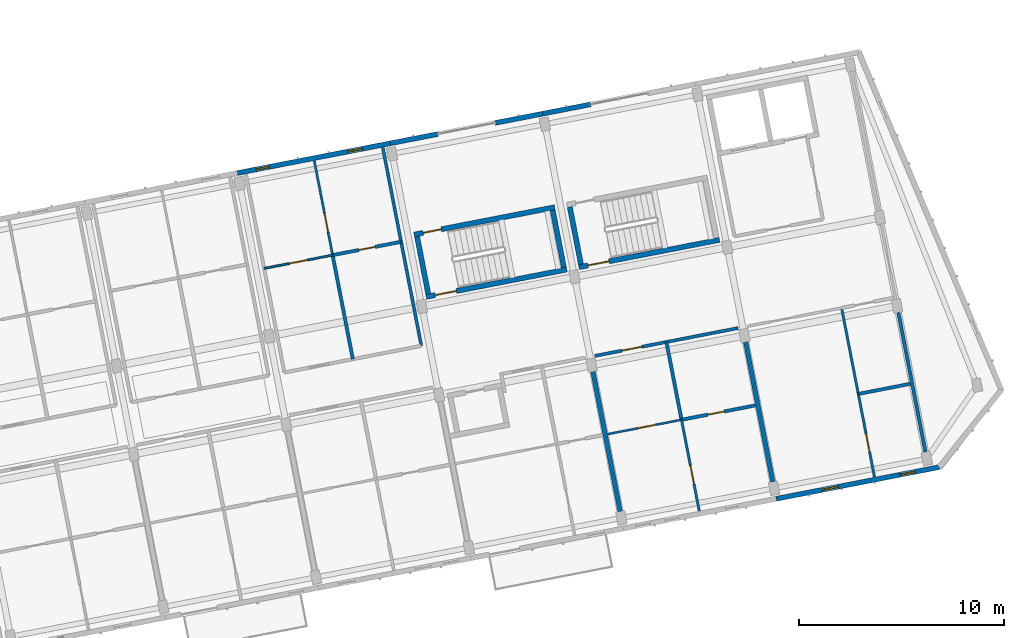
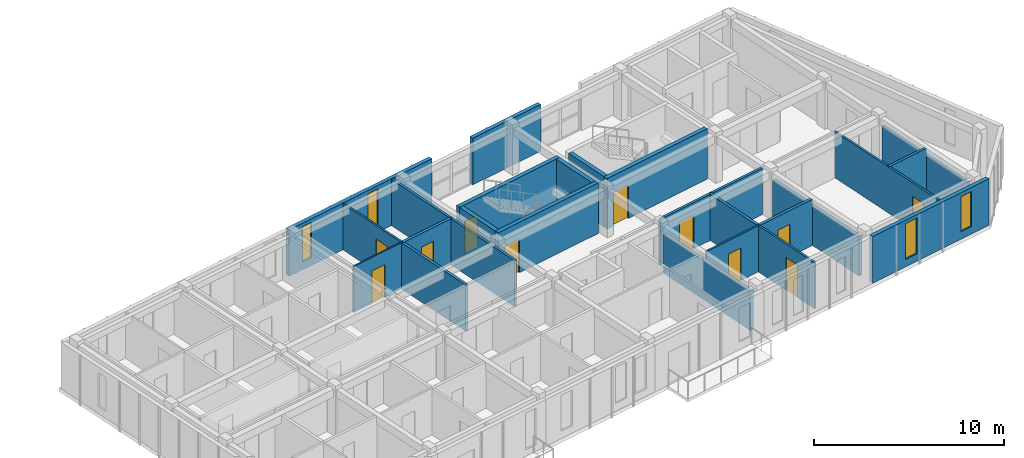
# One storey, part 36 of 68: 26 walls, 11 doors, 4 windows, 15 openings.
"""IFC4 building model written with IfcOpenShell, lengths in metres."""

from ifc_helpers import new_model, si_unit, direction, frame, frame_2d, origin, place, context, subcontext, project, spatial, rectangle, extrude, material, layer, layer_set, type_object, element, fill, save


model = new_model("IFC4")

# Units and contexts
model_context = context("Model", 3, precision=1e-05, world=origin(), true_north=direction((0.0, 1.0)))
body_context = subcontext(model_context, "Body", "Model", "MODEL_VIEW")
ifc_project = project(units=[si_unit("LENGTHUNIT", "METRE"), si_unit("AREAUNIT", "SQUARE_METRE"), si_unit("VOLUMEUNIT", "CUBIC_METRE"), si_unit("PLANEANGLEUNIT", "RADIAN"), si_unit("MASSUNIT", "GRAM", prefix="KILO")], contexts=[model_context])

# Site, building, storey
site_placement = place(None, origin())
site = spatial("IfcSite", under=ifc_project, at=site_placement, CompositionType="ELEMENT")
building_placement = place(site_placement, origin())
building = spatial("IfcBuilding", under=site, at=building_placement, Name="Kestramere Prow Commons", CompositionType="ELEMENT")
storey_placement = place(building_placement, frame((0.0, 0.0, 18.14990234375)))
storey = spatial("IfcBuildingStorey", under=building, at=storey_placement, Name="L05", CompositionType="ELEMENT", Elevation=18.14990234375)

# Wall, openings, windows
ifc_material_1 = material(Name="Fluoropolymer Standing-Seam Zinc-Aluminium Cladding", Category="aluminium")
ifc_layer_1 = layer(ifc_material_1, 0.239990234375)
ifc_layer_set_1 = layer_set([ifc_layer_1], Name="Fluoropolymer Standing-Seam Zinc-Aluminium Cladding")
wall_type_1 = type_object("IfcWallType", Name="EW-SEAM-240", PredefinedType="SOLIDWALL", material=ifc_layer_set_1)
wall_1_placement = place(storey_placement, frame((163.77783203125, 42.28564453125, 0.0), z_axis=(0.0, 0.0, 1.0), x_axis=(-0.981628367112, -0.190802905848, 0.0)))
wall_1 = element("IfcWall", 1, at=wall_1_placement, inside=storey, type_object=wall_type_1, Name="Block D L05 South Standing-Seam Wall 6", PredefinedType="SOLIDWALL", context=body_context, shape_type="SweptSolid", body=[
    extrude(rectangle(XDim=8.125, YDim=0.239990234375, at=frame_2d((4.0625, 0.0))), origin(), (0.0, 0.0, 1.0), 3.0),
])
opening_1_placement = place(wall_1_placement, frame((1.229736328125, 0.0, 0.47998046875)))
opening_1 = element("IfcOpeningElement", 2, at=opening_1_placement, cuts=wall_1, Name="Opening WN-09", PredefinedType="OPENING", context=body_context, shape_type="SweptSolid", body=[
    extrude(rectangle(XDim=0.739990234375, YDim=2.260009765625, at=frame_2d((0.3701171875, 1.1298828125))), frame((0.0, 0.135009765625, 0.0), z_axis=(0.0, -1.0, 0.0), x_axis=(1.0, 0.0, 0.0)), (0.0, 0.0, 1.0), 0.27001953125),
])
opening_2_placement = place(wall_1_placement, frame((5.034912109375, 0.0, 0.47998046875)))
opening_2 = element("IfcOpeningElement", 3, at=opening_2_placement, cuts=wall_1, Name="Opening WN-12", PredefinedType="OPENING", context=body_context, shape_type="SweptSolid", body=[
    extrude(rectangle(XDim=0.800048828125, YDim=2.300048828125, at=frame_2d((0.39990234375, 1.14990234375))), frame((0.0, 0.135009765625, 0.0), z_axis=(0.0, -1.0, 0.0), x_axis=(1.0, 0.0, 0.0)), (0.0, 0.0, 1.0), 0.27001953125),
])
ifc_material_2 = material(Name="Low-E Laminated Double Glazing", Category="glass")
window_type_1 = type_object("IfcWindowType", Name="WN-NAR-740A", PartitioningType="SINGLE_PANEL", PredefinedType="WINDOW", material=ifc_material_2)
window_1_placement = place(opening_1_placement, origin())
window_1 = element("IfcWindow", 4, at=window_1_placement, inside=storey, type_object=window_type_1, Name="WN-D-L05-S-5-00", OverallHeight=2.260009765625, OverallWidth=0.739990234375, PartitioningType="SINGLE_PANEL", PredefinedType="WINDOW", context=body_context, shape_type="SweptSolid", body=[
    extrude(rectangle(XDim=0.739990234375, YDim=2.260009765625, at=frame_2d((0.3701171875, 1.1298828125))), frame((0.0, 0.030029296875, 0.0), z_axis=(0.0, -1.0, 0.0), x_axis=(1.0, 0.0, 0.0)), (0.0, 0.0, 1.0), 0.06005859375),
])
fill(opening_1, window_1)
window_type_2 = type_object("IfcWindowType", Name="WN-NAR-800A", PartitioningType="SINGLE_PANEL", PredefinedType="WINDOW", material=ifc_material_2)
window_2_placement = place(opening_2_placement, origin())
window_2 = element("IfcWindow", 5, at=window_2_placement, inside=storey, type_object=window_type_2, Name="WN-D-L05-S-5-10", OverallHeight=2.300048828125, OverallWidth=0.800048828125, PartitioningType="SINGLE_PANEL", PredefinedType="WINDOW", context=body_context, shape_type="SweptSolid", body=[
    extrude(rectangle(XDim=0.800048828125, YDim=2.300048828125, at=frame_2d((0.39990234375, 1.14990234375))), frame((0.0, 0.030029296875, 0.0), z_axis=(0.0, -1.0, 0.0), x_axis=(1.0, 0.0, 0.0)), (0.0, 0.0, 1.0), 0.06005859375),
])
fill(opening_2, window_2)

wall_2_placement = place(storey_placement, frame((129.480712890625, 56.655517578125, 0.0), z_axis=(0.0, 0.0, 1.0), x_axis=(0.981626422232, 0.190812911449, 0.0)))
wall_2 = element("IfcWall", 6, at=wall_2_placement, inside=storey, type_object=wall_type_1, Name="Block D L05 North Standing-Seam Wall 3", PredefinedType="SOLIDWALL", context=body_context, shape_type="SweptSolid", body=[
    extrude(rectangle(XDim=7.60009765625, YDim=0.239990234375, at=frame_2d((3.800048828125, 0.0))), origin(), (0.0, 0.0, 1.0), 3.0),
])
opening_3_placement = place(wall_2_placement, frame((0.93359375, 0.0, 0.5)))
opening_3 = element("IfcOpeningElement", 7, at=opening_3_placement, cuts=wall_2, Name="Opening WN-03", PredefinedType="OPENING", context=body_context, shape_type="SweptSolid", body=[
    extrude(rectangle(XDim=0.6201171875, YDim=2.280029296875, at=frame_2d((0.31005859375, 1.14013671875))), frame((0.0, 0.135009765625, 0.0), z_axis=(0.0, -1.0, 0.0), x_axis=(1.0, 0.0, 0.0)), (0.0, 0.0, 1.0), 0.27001953125),
])
opening_4_placement = place(wall_2_placement, frame((5.506103515625, 0.0, 0.43994140625)))
opening_4 = element("IfcOpeningElement", 8, at=opening_4_placement, cuts=wall_2, Name="Opening WN-07", PredefinedType="OPENING", context=body_context, shape_type="SweptSolid", body=[
    extrude(rectangle(XDim=0.699951171875, YDim=2.360107421875, at=frame_2d((0.35009765625, 1.18017578125))), frame((0.0, 0.135009765625, 0.0), z_axis=(0.0, -1.0, 0.0), x_axis=(1.0, 0.0, 0.0)), (0.0, 0.0, 1.0), 0.27001953125),
])
window_type_3 = type_object("IfcWindowType", Name="WN-NAR-620A", PartitioningType="SINGLE_PANEL", PredefinedType="WINDOW", material=ifc_material_2)
window_3_placement = place(opening_3_placement, origin())
window_3 = element("IfcWindow", 9, at=window_3_placement, inside=storey, type_object=window_type_3, Name="WN-D-L05-N-2-0", OverallHeight=2.280029296875, OverallWidth=0.6201171875, PartitioningType="SINGLE_PANEL", PredefinedType="WINDOW", context=body_context, shape_type="SweptSolid", body=[
    extrude(rectangle(XDim=0.6201171875, YDim=2.280029296875, at=frame_2d((0.31005859375, 1.14013671875))), frame((0.0, 0.030029296875, 0.0), z_axis=(0.0, -1.0, 0.0), x_axis=(1.0, 0.0, 0.0)), (0.0, 0.0, 1.0), 0.06005859375),
])
fill(opening_3, window_3)
window_type_4 = type_object("IfcWindowType", Name="WN-NAR-700A", PartitioningType="SINGLE_PANEL", PredefinedType="WINDOW", material=ifc_material_2)
window_4_placement = place(opening_4_placement, origin())
window_4 = element("IfcWindow", 10, at=window_4_placement, inside=storey, type_object=window_type_4, Name="WN-D-L05-N-2-1", OverallHeight=2.360107421875, OverallWidth=0.699951171875, PartitioningType="SINGLE_PANEL", PredefinedType="WINDOW", context=body_context, shape_type="SweptSolid", body=[
    extrude(rectangle(XDim=0.699951171875, YDim=2.360107421875, at=frame_2d((0.35009765625, 1.18017578125))), frame((0.0, 0.030029296875, 0.0), z_axis=(0.0, -1.0, 0.0), x_axis=(1.0, 0.0, 0.0)), (0.0, 0.0, 1.0), 0.06005859375),
])
fill(opening_4, window_4)

# Walls
for number, where, z_axis, x_axis, name in (
    (11, (136.941162109375, 58.105712890625, 0.0), (0.0, 0.0, 1.0), (0.981629832251, 0.190795367961, 0.0), "Block D L05 North Standing-Seam Pier 4L"),
    (12, (142.070068359375, 59.102783203125, 0.0), (0.0, 0.0, 1.0), (0.981629832251, 0.190795367961, 0.0), "Block D L05 North Standing-Seam Pier 4R"),
):
    element("IfcWall", number, at=place(storey_placement, frame(where, z_axis=z_axis, x_axis=x_axis)), inside=storey, type_object=wall_type_1, Name=name, PredefinedType="SOLIDWALL", context=body_context, shape_type="SweptSolid", body=[
        extrude(rectangle(XDim=2.375, YDim=0.239990234375, at=frame_2d((1.1875, 0.0))), origin(), (0.0, 0.0, 1.0), 3.0),
    ])
wall_3_placement = place(storey_placement, frame((144.4013671875, 59.555908203125, 0.0), z_axis=(0.0, 0.0, 1.0), x_axis=(0.981633573872, 0.190776116556, 0.0)))
element("IfcWall", 13, at=wall_3_placement, inside=storey, type_object=wall_type_1, Name="Block D L05 North Standing-Seam Pier 5L", PredefinedType="SOLIDWALL", context=body_context, shape_type="SweptSolid", body=[
    extrude(rectangle(XDim=2.375244140625, YDim=0.239990234375, at=frame_2d((1.1875, 0.0))), origin(), (0.0, 0.0, 1.0), 3.0),
])

# Wall, opening, door
ifc_material_3 = material(Name="Concrete C40/50", Category="concrete")
ifc_layer_2 = layer(ifc_material_3, 0.25)
ifc_layer_set_2 = layer_set([ifc_layer_2], Name="Concrete C40/50")
wall_type_2 = type_object("IfcWallType", Name="W-CORE-250", PredefinedType="SHEAR", material=ifc_layer_set_2)
wall_4_placement = place(storey_placement, frame((138.11328125, 53.6474609375, 0.0), z_axis=(0.0, 0.0, 1.0), x_axis=(0.981626097708, 0.19081458094, 0.0)))
wall_4 = element("IfcWall", 14, at=wall_4_placement, inside=storey, type_object=wall_type_2, Name="ST-D1 L05 North Shaft Wall", PredefinedType="SHEAR", context=body_context, shape_type="SweptSolid", body=[
    extrude(rectangle(XDim=7.0, YDim=0.25, at=frame_2d((3.5, 0.0))), origin(), (0.0, 0.0, 1.0), 3.25),
])
opening_5_placement = place(wall_4_placement, frame((0.449951171875, 0.0, 0.0)))
opening_5 = element("IfcOpeningElement", 15, at=opening_5_placement, cuts=wall_4, Name="Opening ID-08", PredefinedType="OPENING", context=body_context, shape_type="SweptSolid", body=[
    extrude(rectangle(XDim=0.89990234375, YDim=2.10009765625, at=frame_2d((0.449951171875, 1.050048828125))), frame((0.0, 0.139892578125, 0.0), z_axis=(0.0, -1.0, 0.0), x_axis=(1.0, 0.0, 0.0)), (0.0, 0.0, 1.0), 0.280029296875),
])
ifc_material_4 = material(Name="Engineered Timber Flush Door", Category="wood")
door_type_1 = type_object("IfcDoorType", Name="D-RM-01", OperationType="NOTDEFINED", PredefinedType="DOOR", material=ifc_material_4)
door_1_placement = place(opening_5_placement, origin())
door_1 = element("IfcDoor", 16, at=door_1_placement, inside=storey, type_object=door_type_1, Name="ST-D1 L05 North Room Door", OperationType="SINGLE_SWING_RIGHT", OverallHeight=2.10009765625, OverallWidth=0.89990234375, PredefinedType="DOOR", context=body_context, shape_type="SweptSolid", body=[
    extrude(rectangle(XDim=0.89990234375, YDim=2.10009765625, at=frame_2d((0.449951171875, 1.050048828125))), frame((0.0, 0.02490234375, 0.0), z_axis=(0.0, -1.0, 0.0), x_axis=(1.0, 0.0, 0.0)), (0.0, 0.0, 1.0), 0.050048828125),
])
fill(opening_5, door_1)

wall_5_placement = place(storey_placement, frame((138.704833984375, 50.6044921875, 0.0), z_axis=(0.0, 0.0, 1.0), x_axis=(0.981626097708, 0.19081458094, 0.0)))
wall_5 = element("IfcWall", 17, at=wall_5_placement, inside=storey, type_object=wall_type_2, Name="ST-D1 L05 Corridor Shaft Wall", PredefinedType="SHEAR", context=body_context, shape_type="SweptSolid", body=[
    extrude(rectangle(XDim=7.0, YDim=0.25, at=frame_2d((3.5, 0.0))), origin(), (0.0, 0.0, 1.0), 3.25),
])
opening_6_placement = place(wall_5_placement, frame((0.449951171875, 0.0, 0.0)))
opening_6 = element("IfcOpeningElement", 18, at=opening_6_placement, cuts=wall_5, Name="Opening ID-01", PredefinedType="OPENING", context=body_context, shape_type="SweptSolid", body=[
    extrude(rectangle(XDim=1.050048828125, YDim=2.14990234375, at=frame_2d((0.52490234375, 1.074951171875))), frame((0.0, 0.139892578125, 0.0), z_axis=(0.0, -1.0, 0.0), x_axis=(1.0, 0.0, 0.0)), (0.0, 0.0, 1.0), 0.280029296875),
])
ifc_material_5 = material(Name="Fire-Rated Timber and Steel Frame", Category="steel")
door_type_2 = type_object("IfcDoorType", Name="FD-ST-01", OperationType="NOTDEFINED", PredefinedType="DOOR", material=ifc_material_5)
door_2_placement = place(opening_6_placement, origin())
door_2 = element("IfcDoor", 19, at=door_2_placement, inside=storey, type_object=door_type_2, Name="ST-D1 L05 Protected Stair Door", OperationType="SINGLE_SWING_RIGHT", OverallHeight=2.14990234375, OverallWidth=1.050048828125, PredefinedType="DOOR", context=body_context, shape_type="SweptSolid", body=[
    extrude(rectangle(XDim=1.050048828125, YDim=2.14990234375, at=frame_2d((0.52490234375, 1.074951171875))), frame((0.0, 0.02490234375, 0.0), z_axis=(0.0, -1.0, 0.0), x_axis=(1.0, 0.0, 0.0)), (0.0, 0.0, 1.0), 0.050048828125),
])
fill(opening_6, door_2)

# Walls
wall_6_placement = place(storey_placement, frame((138.8037109375, 50.7509765625, 0.0), z_axis=(0.0, 0.0, 1.0), x_axis=(-0.190858194834, 0.981617618762, 0.0)))
element("IfcWall", 20, at=wall_6_placement, inside=storey, type_object=wall_type_2, Name="ST-D1 L05 Near Shaft Wall", PredefinedType="SHEAR", context=body_context, shape_type="SweptSolid", body=[
    extrude(rectangle(XDim=2.85009765625, YDim=0.25, at=frame_2d((1.425048828125, 0.0))), origin(), (0.0, 0.0, 1.0), 3.25),
])
wall_7_placement = place(storey_placement, frame((145.4296875, 52.038818359375, 0.0), z_axis=(0.0, 0.0, 1.0), x_axis=(-0.190842147128, 0.981620738819, 0.0)))
element("IfcWall", 21, at=wall_7_placement, inside=storey, type_object=wall_type_2, Name="ST-D1 L05 Far Shaft Wall", PredefinedType="SHEAR", context=body_context, shape_type="SweptSolid", body=[
    extrude(rectangle(XDim=2.850341796875, YDim=0.25, at=frame_2d((1.42529296875, 0.0))), origin(), (0.0, 0.0, 1.0), 3.25),
])

# Wall, opening, door
wall_8_placement = place(storey_placement, frame((146.1650390625, 52.054443359375, 0.0), z_axis=(0.0, 0.0, 1.0), x_axis=(0.981627367538, 0.190808048312, 0.0)))
wall_8 = element("IfcWall", 22, at=wall_8_placement, inside=storey, type_object=wall_type_2, Name="ST-D2 L05 Corridor Shaft Wall", PredefinedType="SHEAR", context=body_context, shape_type="SweptSolid", body=[
    extrude(rectangle(XDim=7.000244140625, YDim=0.25, at=frame_2d((3.5, 0.0))), origin(), (0.0, 0.0, 1.0), 3.25),
])
opening_7_placement = place(wall_8_placement, frame((0.449951171875, 0.0, 0.0)))
opening_7 = element("IfcOpeningElement", 23, at=opening_7_placement, cuts=wall_8, Name="Opening ID-01", PredefinedType="OPENING", context=body_context, shape_type="SweptSolid", body=[
    extrude(rectangle(XDim=1.050048828125, YDim=2.14990234375, at=frame_2d((0.52490234375, 1.074951171875))), frame((0.0, 0.139892578125, 0.0), z_axis=(0.0, -1.0, 0.0), x_axis=(1.0, 0.0, 0.0)), (0.0, 0.0, 1.0), 0.280029296875),
])
door_3_placement = place(opening_7_placement, origin())
door_3 = element("IfcDoor", 24, at=door_3_placement, inside=storey, type_object=door_type_2, Name="ST-D2 L05 Protected Stair Door", OperationType="SINGLE_SWING_RIGHT", OverallHeight=2.14990234375, OverallWidth=1.050048828125, PredefinedType="DOOR", context=body_context, shape_type="SweptSolid", body=[
    extrude(rectangle(XDim=1.050048828125, YDim=2.14990234375, at=frame_2d((0.52490234375, 1.074951171875))), frame((0.0, 0.02490234375, 0.0), z_axis=(0.0, -1.0, 0.0), x_axis=(1.0, 0.0, 0.0)), (0.0, 0.0, 1.0), 0.050048828125),
])
fill(opening_7, door_3)

# Wall
wall_9_placement = place(storey_placement, frame((146.263916015625, 52.201171875, 0.0), z_axis=(0.0, 0.0, 1.0), x_axis=(-0.190775649797, 0.981633664584, 0.0)))
element("IfcWall", 25, at=wall_9_placement, inside=storey, type_object=wall_type_2, Name="ST-D2 L05 Near Shaft Wall", PredefinedType="SHEAR", context=body_context, shape_type="SweptSolid", body=[
    extrude(rectangle(XDim=2.849853515625, YDim=0.25, at=frame_2d((1.4248046875, 0.0))), origin(), (0.0, 0.0, 1.0), 3.25),
])

# Wall, opening, door
ifc_material_6 = material(Name="Fire-Rated Calcium Silicate Wall")
ifc_layer_3 = layer(ifc_material_6, 0.155029296875)
ifc_layer_set_3 = layer_set([ifc_layer_3], Name="Fire-Rated Calcium Silicate Wall")
wall_type_3 = type_object("IfcWallType", Name="W-FIRE-150", PredefinedType="PARTITIONING", material=ifc_layer_set_3)
wall_10_placement = place(storey_placement, frame((146.94189453125, 47.718017578125, 0.0), z_axis=(0.0, 0.0, 1.0), x_axis=(0.981623942594, 0.190825667367, 0.0)))
wall_10 = element("IfcWall", 26, at=wall_10_placement, inside=storey, type_object=wall_type_3, Name="Interior Partition PW-D-L05-CS-4", PredefinedType="PARTITIONING", context=body_context, shape_type="SweptSolid", body=[
    extrude(rectangle(XDim=7.130126953125, YDim=0.155029296875, at=frame_2d((3.56494140625, 0.0))), origin(), (0.0, 0.0, 1.0), 2.97021484375),
])
opening_8_placement = place(wall_10_placement, frame((1.35498046875, 0.0, 0.0)))
opening_8 = element("IfcOpeningElement", 27, at=opening_8_placement, cuts=wall_10, Name="Opening ID-04", PredefinedType="OPENING", context=body_context, shape_type="SweptSolid", body=[
    extrude(rectangle(XDim=0.97998046875, YDim=2.14990234375, at=frame_2d((0.489990234375, 1.074951171875))), frame((0.0, 0.092529296875, 0.0), z_axis=(0.0, -1.0, 0.0), x_axis=(1.0, 0.0, 0.0)), (0.0, 0.0, 1.0), 0.18505859375),
])
ifc_material_7 = material(Name="Hardwood Fire-Rated Flat Entrance Door", Category="wood")
door_type_3 = type_object("IfcDoorType", Name="FD-ENT-01", OperationType="NOTDEFINED", PredefinedType="DOOR", material=ifc_material_7)
door_4_placement = place(opening_8_placement, origin())
door_4 = element("IfcDoor", 28, at=door_4_placement, inside=storey, type_object=door_type_3, Name="Interior Door DR-D-L05-ENT-S4", OperationType="SINGLE_SWING_RIGHT", OverallHeight=2.14990234375, OverallWidth=0.97998046875, PredefinedType="DOOR", context=body_context, shape_type="SweptSolid", body=[
    extrude(rectangle(XDim=0.97998046875, YDim=2.14990234375, at=frame_2d((0.489990234375, 1.074951171875))), frame((0.0, 0.02490234375, 0.0), z_axis=(0.0, -1.0, 0.0), x_axis=(1.0, 0.0, 0.0)), (0.0, 0.0, 1.0), 0.050048828125),
])
fill(opening_8, door_4)

ifc_material_8 = material(Name="Gypsum Acoustic Drywall")
ifc_layer_4 = layer(ifc_material_8, 0.10009765625)
ifc_layer_set_4 = layer_set([ifc_layer_4], Name="Gypsum Acoustic Drywall")
wall_type_4 = type_object("IfcWallType", Name="W-PART-100", PredefinedType="PARTITIONING", material=ifc_layer_set_4)
wall_11_placement = place(storey_placement, frame((147.5625, 43.896240234375, 0.0), z_axis=(0.0, 0.0, 1.0), x_axis=(0.981626422232, 0.190812911449, 0.0)))
wall_11 = element("IfcWall", 29, at=wall_11_placement, inside=storey, type_object=wall_type_4, Name="Interior Partition PW-D-L05-MIDS1-4", PredefinedType="PARTITIONING", context=body_context, shape_type="SweptSolid", body=[
    extrude(rectangle(XDim=3.684814453125, YDim=0.10009765625, at=frame_2d((1.84228515625, 0.0))), origin(), (0.0, 0.0, 1.0), 2.97021484375),
])
opening_9_placement = place(wall_11_placement, frame((1.52490234375, 0.0, 0.0)))
opening_9 = element("IfcOpeningElement", 30, at=opening_9_placement, cuts=wall_11, Name="Opening ID-10", PredefinedType="OPENING", context=body_context, shape_type="SweptSolid", body=[
    extrude(rectangle(XDim=0.8798828125, YDim=2.10009765625, at=frame_2d((0.43994140625, 1.050048828125))), frame((0.0, 0.06494140625, 0.0), z_axis=(0.0, -1.0, 0.0), x_axis=(1.0, 0.0, 0.0)), (0.0, 0.0, 1.0), 0.130126953125),
])
ifc_material_9 = material(Name="Engineered Timber Bedroom Door", Category="wood")
door_type_4 = type_object("IfcDoorType", Name="D-RM-03", OperationType="NOTDEFINED", PredefinedType="DOOR", material=ifc_material_9)
door_5_placement = place(opening_9_placement, origin())
door_5 = element("IfcDoor", 31, at=door_5_placement, inside=storey, type_object=door_type_4, Name="Interior Door DR-D-L05-KL-S4", OperationType="SINGLE_SWING_RIGHT", OverallHeight=2.10009765625, OverallWidth=0.8798828125, PredefinedType="DOOR", context=body_context, shape_type="SweptSolid", body=[
    extrude(rectangle(XDim=0.8798828125, YDim=2.10009765625, at=frame_2d((0.43994140625, 1.050048828125))), frame((0.0, 0.02490234375, 0.0), z_axis=(0.0, -1.0, 0.0), x_axis=(1.0, 0.0, 0.0)), (0.0, 0.0, 1.0), 0.050048828125),
])
fill(opening_9, door_5)

ifc_layer_5 = layer(ifc_material_8, 0.110107421875)
ifc_layer_set_5 = layer_set([ifc_layer_5], Name="Gypsum Acoustic Drywall")
wall_type_5 = type_object("IfcWallType", Name="W-PART-110", PredefinedType="PARTITIONING", material=ifc_layer_set_5)
wall_12_placement = place(storey_placement, frame((134.131591796875, 52.644287109375, 0.0), z_axis=(0.0, 0.0, 1.0), x_axis=(-0.190837612577, 0.981621620394, 0.0)))
wall_12 = element("IfcWall", 32, at=wall_12_placement, inside=storey, type_object=wall_type_5, Name="Interior Partition PW-D-L05-LB-N2", PredefinedType="PARTITIONING", context=body_context, shape_type="SweptSolid", body=[
    extrude(rectangle(XDim=4.68994140625, YDim=0.110107421875, at=frame_2d((2.344970703125, 0.0))), origin(), (0.0, 0.0, 1.0), 2.97021484375),
])
opening_10_placement = place(wall_12_placement, frame((1.14990234375, 0.0, 0.0)))
opening_10 = element("IfcOpeningElement", 33, at=opening_10_placement, cuts=wall_12, Name="Opening ID-08", PredefinedType="OPENING", context=body_context, shape_type="SweptSolid", body=[
    extrude(rectangle(XDim=0.89990234375, YDim=2.10009765625, at=frame_2d((0.449951171875, 1.050048828125))), frame((0.0, 0.070068359375, 0.0), z_axis=(0.0, -1.0, 0.0), x_axis=(1.0, 0.0, 0.0)), (0.0, 0.0, 1.0), 0.14013671875),
])
door_6_placement = place(opening_10_placement, origin())
door_6 = element("IfcDoor", 34, at=door_6_placement, inside=storey, type_object=door_type_1, Name="Interior Door DR-D-L05-BED-N2", OperationType="SINGLE_SWING_LEFT", OverallHeight=2.10009765625, OverallWidth=0.89990234375, PredefinedType="DOOR", context=body_context, shape_type="SweptSolid", body=[
    extrude(rectangle(XDim=0.89990234375, YDim=2.10009765625, at=frame_2d((0.449951171875, 1.050048828125))), frame((0.0, 0.02490234375, 0.0), z_axis=(0.0, -1.0, 0.0), x_axis=(1.0, 0.0, 0.0)), (0.0, 0.0, 1.0), 0.050048828125),
])
fill(opening_10, door_6)

ifc_material_10 = material(Name="Lightweight Blockwork and Plaster", Category="masonry")
ifc_layer_6 = layer(ifc_material_10, 0.1201171875)
ifc_layer_set_6 = layer_set([ifc_layer_6], Name="Lightweight Blockwork and Plaster")
wall_type_6 = type_object("IfcWallType", Name="W-PART-120", PredefinedType="PARTITIONING", material=ifc_layer_set_6)
wall_13_placement = place(storey_placement, frame((152.046142578125, 40.142822265625, 0.0), z_axis=(0.0, 0.0, 1.0), x_axis=(-0.190849508215, 0.981619307682, 0.0)))
wall_13 = element("IfcWall", 35, at=wall_13_placement, inside=storey, type_object=wall_type_6, Name="Interior Partition PW-D-L05-LB-S4", PredefinedType="PARTITIONING", context=body_context, shape_type="SweptSolid", body=[
    extrude(rectangle(XDim=4.5400390625, YDim=0.1201171875, at=frame_2d((2.27001953125, 0.0))), origin(), (0.0, 0.0, 1.0), 2.97021484375),
])
opening_11_placement = place(wall_13_placement, frame((1.35009765625, 0.0, 0.0)))
opening_11 = element("IfcOpeningElement", 36, at=opening_11_placement, cuts=wall_13, Name="Opening ID-08", PredefinedType="OPENING", context=body_context, shape_type="SweptSolid", body=[
    extrude(rectangle(XDim=0.89990234375, YDim=2.10009765625, at=frame_2d((0.449951171875, 1.050048828125))), frame((0.0, 0.074951171875, 0.0), z_axis=(0.0, -1.0, 0.0), x_axis=(1.0, 0.0, 0.0)), (0.0, 0.0, 1.0), 0.150146484375),
])
door_7_placement = place(opening_11_placement, origin())
door_7 = element("IfcDoor", 37, at=door_7_placement, inside=storey, type_object=door_type_1, Name="Interior Door DR-D-L05-BED-S4", OperationType="SINGLE_SWING_LEFT", OverallHeight=2.10009765625, OverallWidth=0.89990234375, PredefinedType="DOOR", context=body_context, shape_type="SweptSolid", body=[
    extrude(rectangle(XDim=0.89990234375, YDim=2.10009765625, at=frame_2d((0.449951171875, 1.050048828125))), frame((0.0, 0.02490234375, 0.0), z_axis=(0.0, -1.0, 0.0), x_axis=(1.0, 0.0, 0.0)), (0.0, 0.0, 1.0), 0.050048828125),
])
fill(opening_11, door_7)

wall_14_placement = place(storey_placement, frame((160.60595703125, 41.806640625, 0.0), z_axis=(0.0, 0.0, 1.0), x_axis=(-0.190809830256, 0.981627021163, 0.0)))
wall_14 = element("IfcWall", 38, at=wall_14_placement, inside=storey, type_object=wall_type_6, Name="Interior Partition PW-D-L05-SKDV-5", PredefinedType="PARTITIONING", context=body_context, shape_type="SweptSolid", body=[
    extrude(rectangle(XDim=8.41015625, YDim=0.1201171875, at=frame_2d((4.205078125, 0.0))), origin(), (0.0, 0.0, 1.0), 2.97021484375),
])
opening_12_placement = place(wall_14_placement, frame((1.25, 0.0, 0.0)))
opening_12 = element("IfcOpeningElement", 39, at=opening_12_placement, cuts=wall_14, Name="Opening ID-10", PredefinedType="OPENING", context=body_context, shape_type="SweptSolid", body=[
    extrude(rectangle(XDim=0.8798828125, YDim=2.10009765625, at=frame_2d((0.43994140625, 1.050048828125))), frame((0.0, 0.074951171875, 0.0), z_axis=(0.0, -1.0, 0.0), x_axis=(1.0, 0.0, 0.0)), (0.0, 0.0, 1.0), 0.150146484375),
])
door_8_placement = place(opening_12_placement, origin())
door_8 = element("IfcDoor", 40, at=door_8_placement, inside=storey, type_object=door_type_4, Name="Interior Door DR-D-L05-SKAL-5", OperationType="SINGLE_SWING_LEFT", OverallHeight=2.10009765625, OverallWidth=0.8798828125, PredefinedType="DOOR", context=body_context, shape_type="SweptSolid", body=[
    extrude(rectangle(XDim=0.8798828125, YDim=2.10009765625, at=frame_2d((0.43994140625, 1.050048828125))), frame((0.0, 0.02490234375, 0.0), z_axis=(0.0, -1.0, 0.0), x_axis=(1.0, 0.0, 0.0)), (0.0, 0.0, 1.0), 0.050048828125),
])
fill(opening_12, door_8)

# Wall
ifc_material_11 = material(Name="Masonry Compartment Wall", Category="masonry")
ifc_layer_7 = layer(ifc_material_11, 0.14990234375)
ifc_layer_set_7 = layer_set([ifc_layer_7], Name="Masonry Compartment Wall")
wall_type_7 = type_object("IfcWallType", Name="W-PART-150", PredefinedType="PARTITIONING", material=ifc_layer_set_7)
wall_15_placement = place(storey_placement, frame((138.46728515625, 48.210205078125, 0.0), z_axis=(0.0, 0.0, 1.0), x_axis=(-0.190814044018, 0.981626202078, 0.0)))
element("IfcWall", 41, at=wall_15_placement, inside=storey, type_object=wall_type_7, Name="Interior Partition PW-D-L05-NWR-2", PredefinedType="PARTITIONING", context=body_context, shape_type="SweptSolid", body=[
    extrude(rectangle(XDim=9.869873046875, YDim=0.14990234375, at=frame_2d((4.93505859375, 0.0))), origin(), (0.0, 0.0, 1.0), 2.97021484375),
])

# Wall, opening, door
ifc_layer_8 = layer(ifc_material_8, 0.094970703125)
ifc_layer_set_8 = layer_set([ifc_layer_8], Name="Gypsum Acoustic Drywall")
wall_type_8 = type_object("IfcWallType", Name="W-PART-95", PredefinedType="PARTITIONING", material=ifc_layer_set_8)
wall_16_placement = place(storey_placement, frame((130.7841796875, 51.99365234375, 0.0), z_axis=(0.0, 0.0, 1.0), x_axis=(0.981629173664, 0.190798756314, 0.0)))
wall_16 = element("IfcWall", 42, at=wall_16_placement, inside=storey, type_object=wall_type_8, Name="Interior Partition PW-D-L05-MIDN1-2", PredefinedType="PARTITIONING", context=body_context, shape_type="SweptSolid", body=[
    extrude(rectangle(XDim=3.41015625, YDim=0.094970703125, at=frame_2d((1.705078125, 0.0))), origin(), (0.0, 0.0, 1.0), 2.97021484375),
])
opening_13_placement = place(wall_16_placement, frame((1.2548828125, 0.0, 0.0)))
opening_13 = element("IfcOpeningElement", 43, at=opening_13_placement, cuts=wall_16, Name="Opening ID-08", PredefinedType="OPENING", context=body_context, shape_type="SweptSolid", body=[
    extrude(rectangle(XDim=0.89990234375, YDim=2.10009765625, at=frame_2d((0.449951171875, 1.050048828125))), frame((0.0, 0.0625, 0.0), z_axis=(0.0, -1.0, 0.0), x_axis=(1.0, 0.0, 0.0)), (0.0, 0.0, 1.0), 0.125),
])
door_9_placement = place(opening_13_placement, origin())
door_9 = element("IfcDoor", 44, at=door_9_placement, inside=storey, type_object=door_type_1, Name="Interior Door DR-D-L05-KL-N2", OperationType="SINGLE_SWING_LEFT", OverallHeight=2.10009765625, OverallWidth=0.89990234375, PredefinedType="DOOR", context=body_context, shape_type="SweptSolid", body=[
    extrude(rectangle(XDim=0.89990234375, YDim=2.10009765625, at=frame_2d((0.449951171875, 1.050048828125))), frame((0.0, 0.02490234375, 0.0), z_axis=(0.0, -1.0, 0.0), x_axis=(1.0, 0.0, 0.0)), (0.0, 0.0, 1.0), 0.050048828125),
])
fill(opening_13, door_9)

# Wall
ifc_material_12 = material(Name="Waterproof Sanitary Masonry Wall", Category="masonry")
ifc_layer_9 = layer(ifc_material_12, 0.1650390625)
ifc_layer_set_9 = layer_set([ifc_layer_9], Name="Waterproof Sanitary Masonry Wall")
wall_type_9 = type_object("IfcWallType", Name="W-PLUMB-150", PredefinedType="PLUMBINGWALL", material=ifc_layer_set_9)
wall_17_placement = place(storey_placement, frame((163.098388671875, 43.02978515625, 0.0), z_axis=(0.0, 0.0, 1.0), x_axis=(-0.190835713385, 0.981621989616, 0.0)))
element("IfcWall", 45, at=wall_17_placement, inside=storey, type_object=wall_type_9, Name="Interior Partition PW-D-L05-PRWE-S", PredefinedType="PLUMBINGWALL", context=body_context, shape_type="SweptSolid", body=[
    extrude(rectangle(XDim=6.93017578125, YDim=0.1650390625, at=frame_2d((3.465087890625, 0.0))), origin(), (0.0, 0.0, 1.0), 2.5),
])

# Wall, opening, door
wall_18_placement = place(storey_placement, frame((151.1796875, 44.599365234375, 0.0), z_axis=(0.0, 0.0, 1.0), x_axis=(0.981628834294, 0.190800502313, 0.0)))
wall_18 = element("IfcWall", 46, at=wall_18_placement, inside=storey, type_object=wall_type_9, Name="Interior Partition PW-D-L05-MIDS2-4", PredefinedType="PLUMBINGWALL", context=body_context, shape_type="SweptSolid", body=[
    extrude(rectangle(XDim=3.68505859375, YDim=0.1650390625, at=frame_2d((1.842529296875, 0.0))), origin(), (0.0, 0.0, 1.0), 2.97021484375),
])
opening_14_placement = place(wall_18_placement, frame((1.300048828125, 0.0, 0.0)))
opening_14 = element("IfcOpeningElement", 47, at=opening_14_placement, cuts=wall_18, Name="Opening ID-11", PredefinedType="OPENING", context=body_context, shape_type="SweptSolid", body=[
    extrude(rectangle(XDim=0.820068359375, YDim=2.080078125, at=frame_2d((0.41015625, 1.0400390625))), frame((0.0, 0.097412109375, 0.0), z_axis=(0.0, -1.0, 0.0), x_axis=(1.0, 0.0, 0.0)), (0.0, 0.0, 1.0), 0.195068359375),
])
ifc_material_13 = material(Name="Moisture-Resistant Timber Bathroom Door", Category="wood")
door_type_5 = type_object("IfcDoorType", Name="D-BT-01", OperationType="NOTDEFINED", PredefinedType="DOOR", material=ifc_material_13)
door_10_placement = place(opening_14_placement, origin())
door_10 = element("IfcDoor", 48, at=door_10_placement, inside=storey, type_object=door_type_5, Name="Interior Door DR-D-L05-BTH-S4", OperationType="SINGLE_SWING_LEFT", OverallHeight=2.080078125, OverallWidth=0.820068359375, PredefinedType="DOOR", context=body_context, shape_type="SweptSolid", body=[
    extrude(rectangle(XDim=0.820068359375, YDim=2.080078125, at=frame_2d((0.41015625, 1.0400390625))), frame((0.0, 0.02490234375, 0.0), z_axis=(0.0, -1.0, 0.0), x_axis=(1.0, 0.0, 0.0)), (0.0, 0.0, 1.0), 0.050048828125),
])
fill(opening_14, door_10)

# Walls
wall_19_placement = place(storey_placement, frame((151.1796875, 44.599365234375, 0.0), z_axis=(0.0, 0.0, 1.0), x_axis=(-0.190763284403, 0.981636067656, 0.0)))
element("IfcWall", 49, at=wall_19_placement, inside=storey, type_object=wall_type_9, Name="Interior Partition PW-D-L05-KB-S4", PredefinedType="PLUMBINGWALL", context=body_context, shape_type="SweptSolid", body=[
    extrude(rectangle(XDim=3.8701171875, YDim=0.1650390625, at=frame_2d((1.93505859375, 0.0))), origin(), (0.0, 0.0, 1.0), 2.97021484375),
])
wall_20_placement = place(storey_placement, frame((159.81787109375, 45.86083984375, 0.0), z_axis=(0.0, 0.0, 1.0), x_axis=(0.981628634101, 0.19080153226, 0.0)))
element("IfcWall", 50, at=wall_20_placement, inside=storey, type_object=wall_type_9, Name="Interior Partition PW-D-L05-SKHZ-5", PredefinedType="PLUMBINGWALL", context=body_context, shape_type="SweptSolid", body=[
    extrude(rectangle(XDim=2.58984375, YDim=0.1650390625, at=frame_2d((1.294921875, 0.0))), origin(), (0.0, 0.0, 1.0), 2.97021484375),
])

# Wall, opening, door
wall_21_placement = place(storey_placement, frame((134.131591796875, 52.644287109375, 0.0), z_axis=(0.0, 0.0, 1.0), x_axis=(0.981629173664, 0.190798756314, 0.0)))
wall_21 = element("IfcWall", 51, at=wall_21_placement, inside=storey, type_object=wall_type_9, Name="Interior Partition PW-D-L05-MIDN2-2", PredefinedType="PLUMBINGWALL", context=body_context, shape_type="SweptSolid", body=[
    extrude(rectangle(XDim=3.41015625, YDim=0.1650390625, at=frame_2d((1.705078125, 0.0))), origin(), (0.0, 0.0, 1.0), 2.97021484375),
])
opening_15_placement = place(wall_21_placement, frame((1.294921875, 0.0, 0.0)))
opening_15 = element("IfcOpeningElement", 52, at=opening_15_placement, cuts=wall_21, Name="Opening ID-11", PredefinedType="OPENING", context=body_context, shape_type="SweptSolid", body=[
    extrude(rectangle(XDim=0.820068359375, YDim=2.080078125, at=frame_2d((0.41015625, 1.0400390625))), frame((0.0, 0.097412109375, 0.0), z_axis=(0.0, -1.0, 0.0), x_axis=(1.0, 0.0, 0.0)), (0.0, 0.0, 1.0), 0.195068359375),
])
door_11_placement = place(opening_15_placement, origin())
door_11 = element("IfcDoor", 53, at=door_11_placement, inside=storey, type_object=door_type_5, Name="Interior Door DR-D-L05-BTH-N2", OperationType="SINGLE_SWING_RIGHT", OverallHeight=2.080078125, OverallWidth=0.820068359375, PredefinedType="DOOR", context=body_context, shape_type="SweptSolid", body=[
    extrude(rectangle(XDim=0.820068359375, YDim=2.080078125, at=frame_2d((0.41015625, 1.0400390625))), frame((0.0, 0.02490234375, 0.0), z_axis=(0.0, -1.0, 0.0), x_axis=(1.0, 0.0, 0.0)), (0.0, 0.0, 1.0), 0.050048828125),
])
fill(opening_15, door_11)

# Walls
wall_22_placement = place(storey_placement, frame((135.119873046875, 47.559326171875, 0.0), z_axis=(0.0, 0.0, 1.0), x_axis=(-0.190783877533, 0.981632065528, 0.0)))
element("IfcWall", 54, at=wall_22_placement, inside=storey, type_object=wall_type_9, Name="Interior Partition PW-D-L05-KB-N2", PredefinedType="PLUMBINGWALL", context=body_context, shape_type="SweptSolid", body=[
    extrude(rectangle(XDim=5.18017578125, YDim=0.1650390625, at=frame_2d((2.590087890625, 0.0))), origin(), (0.0, 0.0, 1.0), 2.97021484375),
])
ifc_material_14 = material(Name="Precast concrete C40/50", Category="concrete")
ifc_layer_10 = layer(ifc_material_14, 0.219970703125)
ifc_layer_set_10 = layer_set([ifc_layer_10], Name="Precast concrete C40/50")
wall_type_10 = type_object("IfcWallType", Name="W-XWALL-220", PredefinedType="SHEAR", material=ifc_layer_set_10)
for number, where, z_axis, x_axis, name in (
    (55, (148.179443359375, 40.11962890625, 0.0), (0.0, 0.0, 1.0), (-0.190817005532, 0.981625626397, 0.0), "Block D L05 Precast Cross-Wall 4"),
    (56, (155.639892578125, 41.56982421875, 0.0), (0.0, 0.0, 1.0), (-0.190817005532, 0.981625626397, 0.0), "Block D L05 Precast Cross-Wall 5"),
):
    element("IfcWall", number, at=place(storey_placement, frame(where, z_axis=z_axis, x_axis=x_axis)), inside=storey, type_object=wall_type_10, Name=name, PredefinedType="SHEAR", context=body_context, shape_type="SweptSolid", body=[
        extrude(rectangle(XDim=6.949951171875, YDim=0.219970703125, at=frame_2d((3.47509765625, 0.0))), origin(), (0.0, 0.0, 1.0), 2.5),
    ])

save(model, "model.ifc")
